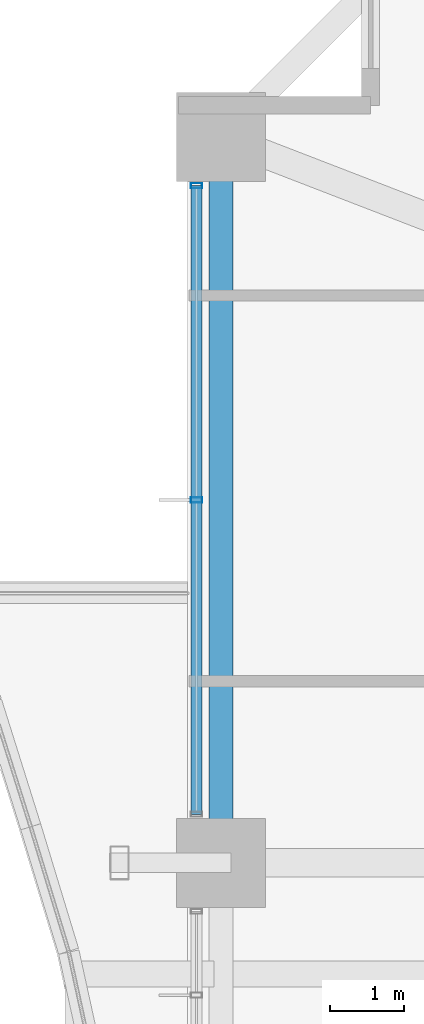
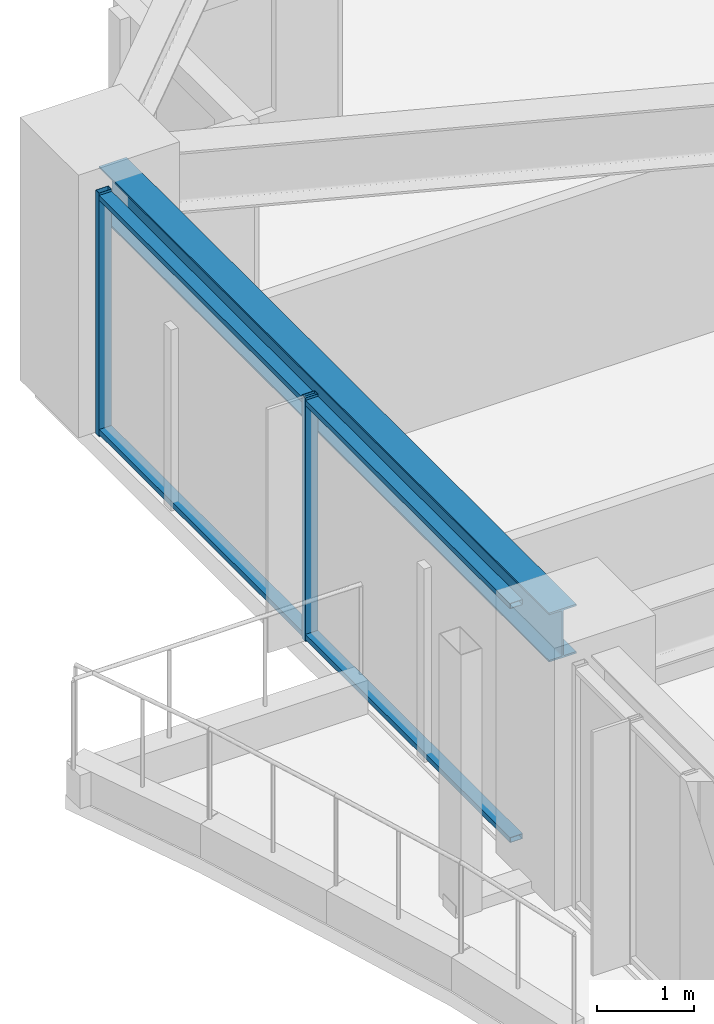
# One storey, part 17 of 36: 4 members, 1 beam, 1 element without a shape of its own.
"""IFC4 building model written with IfcOpenShell, lengths in metres."""

from ifc_helpers import new_model, si_unit, direction, frame, origin, origin_2d, place, context, subcontext, project, spatial, hollow_rectangle, i_section, extrude, material, material_profile, profile_set, type_object, element, aggregate, save


model = new_model("IFC4")

# Units and contexts
model_context = context("Model", 3, precision=1e-05, world=origin(), true_north=direction((0.0, 1.0)))
body_context = subcontext(model_context, "Body", "Model", "MODEL_VIEW")
ifc_project = project(units=[si_unit("LENGTHUNIT", "METRE"), si_unit("AREAUNIT", "SQUARE_METRE"), si_unit("VOLUMEUNIT", "CUBIC_METRE"), si_unit("PLANEANGLEUNIT", "RADIAN"), si_unit("MASSUNIT", "GRAM", prefix="KILO")], contexts=[model_context])

# Site, building, storey
site_placement = place(None, origin())
site = spatial("IfcSite", under=ifc_project, at=site_placement, CompositionType="ELEMENT")
building_placement = place(site_placement, origin())
building = spatial("IfcBuilding", under=site, at=building_placement, Name="Kolvaren Belvedere", CompositionType="ELEMENT")
storey_placement = place(building_placement, frame((0.0, 0.0, 46.89990234375)))
storey = spatial("IfcBuildingStorey", under=building, at=storey_placement, Name="L13", CompositionType="ELEMENT", Elevation=46.89990234375)

# Beam
ifc_material_1 = material(Name="Structural steel ASTM A992 Grade 50", Category="steel")
ifc_material_profile_1 = material_profile(ifc_material_1, i_section(OverallWidth=0.324951171875, OverallDepth=0.615966796875, WebThickness=0.013916015625, FlangeThickness=0.021484375, FilletRadius=0.02001953125, at=origin_2d()), Name="W24X117")
ifc_profile_set_1 = profile_set([ifc_material_profile_1], Name="Structural steel ASTM A992 Grade 50")
beam_type = type_object("IfcBeamType", Name="BM-SPAN-W24X117", PredefinedType="SPANDREL", material=ifc_profile_set_1)
beam_placement = place(storey_placement, frame((-21.550048828125, 14.1298828125, 2.752197265625), z_axis=(0.0, -1.0, 0.0), x_axis=(1.0, 0.0, 0.0)))
element("IfcBeam", 1, at=beam_placement, inside=storey, type_object=beam_type, Name="L13 Perimeter Spandrel W4-W3", PredefinedType="SPANDREL", context=body_context, shape_type="SweptSolid", body=[
    extrude(i_section(OverallWidth=0.324951171875, OverallDepth=0.615966796875, WebThickness=0.013916015625, FlangeThickness=0.021484375, FilletRadius=0.02001953125, at=origin_2d()), origin(), (0.0, 0.0, 1.0), 9.259765625),
])

# Curtain wall, members
ifc_material_2 = material(Name="Anodised pale-metal aluminium AA 6063-T6", Category="aluminium")
curtain_wall_type = type_object("IfcCurtainWallType", Name="CW-Z1-LOW", PredefinedType="NOTDEFINED", material=ifc_material_2)
curtain_wall_placement = place(storey_placement, origin())
curtain_wall = element("IfcCurtainWall", 2, at=curtain_wall_placement, inside=storey, type_object=curtain_wall_type, Name="L13 Unitised Curtain Wall FCW-L13-W2-B2", PredefinedType="NOTDEFINED")
ifc_material_3 = material(Name="Anodised pale-metal aluminium AA 6063-T6", Category="aluminium")
ifc_material_profile_2 = material_profile(ifc_material_3, hollow_rectangle(XDim=0.070068359375, YDim=0.14990234375, WallThickness=0.004150390625, at=origin_2d()), Name="ALU-MUL-150X70")
ifc_profile_set_2 = profile_set([ifc_material_profile_2], Name="Anodised pale-metal aluminium AA 6063-T6")
member_type_1 = type_object("IfcMemberType", Name="CW-MUL-150", PredefinedType="MULLION", material=ifc_profile_set_2)
member_1_placement = place(storey_placement, frame((-21.8798828125, 9.5, 0.0), z_axis=(0.0, 0.0, 1.0), x_axis=(0.0, 1.0, 0.0)))
member_1 = element("IfcMember", 3, at=member_1_placement, type_object=member_type_1, Name="FCW-L13-W2-B2 Unitised Mullion 2", PredefinedType="MULLION", context=body_context, shape_type="SweptSolid", body=[
    extrude(hollow_rectangle(XDim=0.070068359375, YDim=0.14990234375, WallThickness=0.004150390625, at=origin_2d()), origin(), (0.0, 0.0, 1.0), 3.06005859375),
])
member_2_placement = place(storey_placement, frame((-21.8798828125, 13.7451171875, 0.0), z_axis=(0.0, 0.0, 1.0), x_axis=(0.0, 1.0, 0.0)))
member_2 = element("IfcMember", 4, at=member_2_placement, type_object=member_type_1, Name="FCW-L13-W2-B2 Unitised Mullion 3", PredefinedType="MULLION", context=body_context, shape_type="SweptSolid", body=[
    extrude(hollow_rectangle(XDim=0.070068359375, YDim=0.14990234375, WallThickness=0.004150390625, at=origin_2d()), origin(), (0.0, 0.0, 1.0), 3.06005859375),
])
ifc_material_4 = material(Name="Anodised pale-metal aluminium AA 6063-T6", Category="aluminium")
ifc_material_profile_3 = material_profile(ifc_material_4, hollow_rectangle(XDim=0.06494140625, YDim=0.14990234375, WallThickness=0.00390625, at=origin_2d()), Name="ALU-TRN-150X65")
ifc_profile_set_3 = profile_set([ifc_material_profile_3], Name="Anodised pale-metal aluminium AA 6063-T6")
member_type_2 = type_object("IfcMemberType", Name="CW-TRN-150", PredefinedType="USERDEFINED", material=ifc_profile_set_3)
member_3_placement = place(storey_placement, frame((-21.8798828125, 5.2548828125, 0.06005859375), z_axis=(0.0, 1.0, 0.0), x_axis=(0.0, 0.0, 1.0)))
member_3 = element("IfcMember", 5, at=member_3_placement, type_object=member_type_2, Name="FCW-L13-W2-B2 Sill Transom", ObjectType="TRANSOM", PredefinedType="USERDEFINED", context=body_context, shape_type="SweptSolid", body=[
    extrude(hollow_rectangle(XDim=0.06494140625, YDim=0.14990234375, WallThickness=0.00390625, at=origin_2d()), origin(), (0.0, 0.0, 1.0), 8.490234375),
])
member_4_placement = place(storey_placement, frame((-21.8798828125, 5.2548828125, 3.0), z_axis=(0.0, 1.0, 0.0), x_axis=(0.0, 0.0, 1.0)))
member_4 = element("IfcMember", 6, at=member_4_placement, type_object=member_type_2, Name="FCW-L13-W2-B2 Head Transom", ObjectType="TRANSOM", PredefinedType="USERDEFINED", context=body_context, shape_type="SweptSolid", body=[
    extrude(hollow_rectangle(XDim=0.06494140625, YDim=0.14990234375, WallThickness=0.00390625, at=origin_2d()), origin(), (0.0, 0.0, 1.0), 8.490234375),
])
aggregate(curtain_wall, [member_1, member_2, member_3, member_4])

save(model, "model.ifc")
